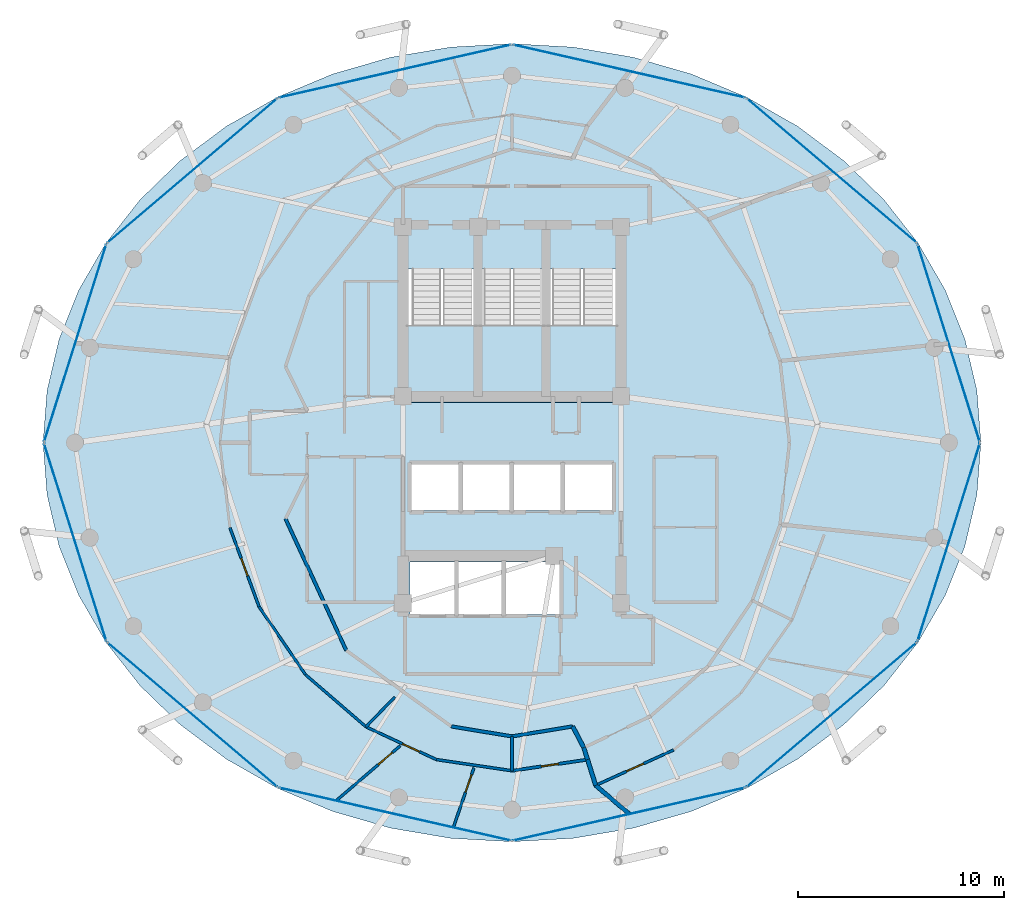
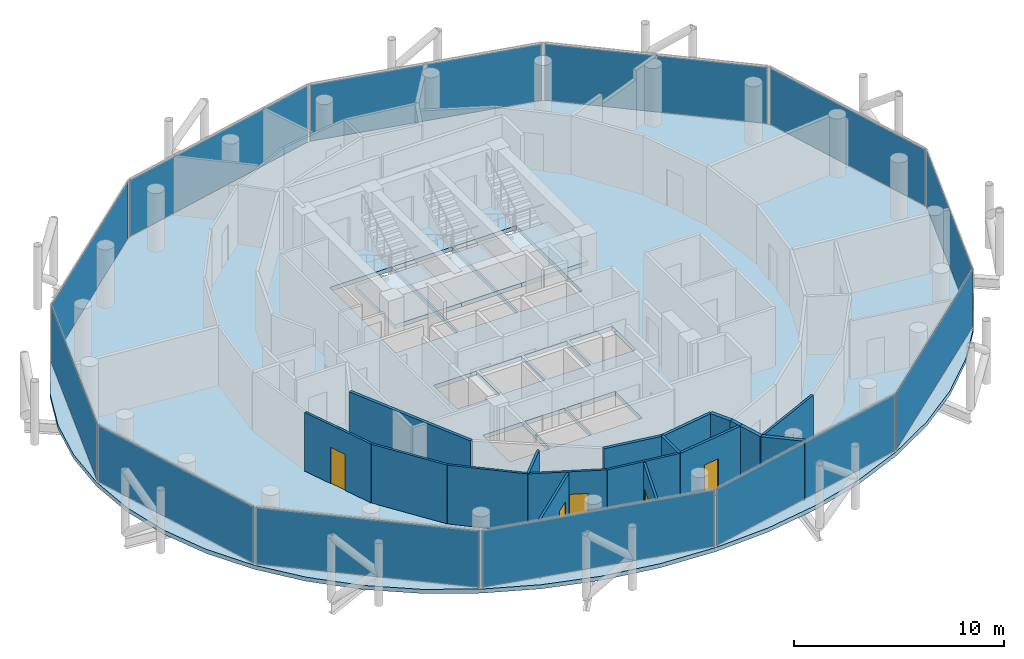
# One storey, part 22 of 27: 18 walls, 12 plates, 6 doors, 4 slabs, 6 openings, 15 elements without a shape of their own.
"""IFC4 building model written with IfcOpenShell, lengths in metres."""

from ifc_helpers import new_model, si_unit, direction, frame, frame_2d, origin, origin_2d, place, context, subcontext, project, spatial, polyline, rectangle, outline, extrude, material, layer, layer_set, type_object, element, fill, aggregate, save


model = new_model("IFC4")

# Units and contexts
model_context = context("Model", 3, precision=1e-05, world=origin(), true_north=direction((0.0, 1.0)))
body_context = subcontext(model_context, "Body", "Model", "MODEL_VIEW")
ifc_project = project(units=[si_unit("LENGTHUNIT", "METRE"), si_unit("AREAUNIT", "SQUARE_METRE"), si_unit("VOLUMEUNIT", "CUBIC_METRE"), si_unit("PLANEANGLEUNIT", "RADIAN"), si_unit("MASSUNIT", "GRAM", prefix="KILO")], contexts=[model_context])

# Site, building, storey
site_placement = place(None, origin())
site = spatial("IfcSite", under=ifc_project, at=site_placement, CompositionType="ELEMENT")
building_placement = place(site_placement, origin())
building = spatial("IfcBuilding", under=site, at=building_placement, Name="Nuhasar Tower", CompositionType="ELEMENT")
storey_placement = place(building_placement, frame((0.0, 0.0, 241.0)))
storey = spatial("IfcBuildingStorey", under=building, at=storey_placement, Name="L59", CompositionType="ELEMENT", Elevation=241.0)

# Curtain wall, plate
ifc_material_1 = material(Name="Aluminium 6063-T6", Category="aluminium")
ifc_layer_1 = layer(ifc_material_1, 0.18994140625)
ifc_layer_set_1 = layer_set([ifc_layer_1], Name="Aluminium 6063-T6")
curtain_wall_type = type_object("IfcCurtainWallType", Name="CW-Z3-RES", PredefinedType="NOTDEFINED", material=ifc_layer_set_1)
curtain_wall_1_placement = place(storey_placement, origin())
curtain_wall_1 = element("IfcCurtainWall", 1, at=curtain_wall_1_placement, inside=storey, type_object=curtain_wall_type, Name="L59 Unitised Curtain Wall 01", PredefinedType="NOTDEFINED")
ifc_material_2 = material(Name="Glass Double Low-E", Category="glass")
ifc_layer_2 = layer(ifc_material_2, 0.028076171875)
ifc_layer_set_2 = layer_set([ifc_layer_2], Name="Glass Double Low-E")
plate_type = type_object("IfcPlateType", Name="CW-PANEL-GLZ", PredefinedType="CURTAIN_PANEL", material=ifc_layer_set_2)
plate_1_placement = place(storey_placement, frame((60.235595703125, 31.639892578125, 0.06494140625), z_axis=(0.0, 0.0, 1.0), x_axis=(-0.30042864553, 0.95380429279, 0.0)))
plate_1 = element("IfcPlate", 2, at=plate_1_placement, type_object=plate_type, Name="CW-Z3 panel 1.1", PredefinedType="CURTAIN_PANEL", context=body_context, shape_type="SweptSolid", body=[
    extrude(rectangle(XDim=10.018798828125, YDim=0.028076171875, at=origin_2d()), origin(), (0.0, 0.0, 1.0), 3.280029296875),
])
aggregate(curtain_wall_1, [plate_1])

curtain_wall_2_placement = place(storey_placement, origin())
curtain_wall_2 = element("IfcCurtainWall", 3, at=curtain_wall_2_placement, inside=storey, type_object=curtain_wall_type, Name="L59 Unitised Curtain Wall 02", PredefinedType="NOTDEFINED")
plate_2_placement = place(storey_placement, frame((54.54541015625, 40.02294921875, 0.06494140625), z_axis=(0.0, 0.0, 1.0), x_axis=(-0.761729472562, 0.64789521578, 0.0)))
plate_2 = element("IfcPlate", 4, at=plate_2_placement, type_object=plate_type, Name="CW-Z3 panel 1.1", PredefinedType="CURTAIN_PANEL", context=body_context, shape_type="SweptSolid", body=[
    extrude(rectangle(XDim=10.806884765625, YDim=0.028076171875, at=origin_2d()), origin(), (0.0, 0.0, 1.0), 3.280029296875),
])
aggregate(curtain_wall_2, [plate_2])

curtain_wall_3_placement = place(storey_placement, origin())
curtain_wall_3 = element("IfcCurtainWall", 5, at=curtain_wall_3_placement, inside=storey, type_object=curtain_wall_type, Name="L59 Unitised Curtain Wall 03", PredefinedType="NOTDEFINED")
plate_3_placement = place(storey_placement, frame((44.68994140625, 44.863037109375, 0.06494140625), z_axis=(0.0, 0.0, 1.0), x_axis=(-0.974991266926, 0.222243176313, 0.0)))
plate_3 = element("IfcPlate", 6, at=plate_3_placement, type_object=plate_type, Name="CW-Z3 panel 1.1", PredefinedType="CURTAIN_PANEL", context=body_context, shape_type="SweptSolid", body=[
    extrude(rectangle(XDim=11.5419921875, YDim=0.028076171875, at=origin_2d()), origin(), (0.0, 0.0, 1.0), 3.280029296875),
])
aggregate(curtain_wall_3, [plate_3])

curtain_wall_4_placement = place(storey_placement, origin())
curtain_wall_4 = element("IfcCurtainWall", 7, at=curtain_wall_4_placement, inside=storey, type_object=curtain_wall_type, Name="L59 Unitised Curtain Wall 04", PredefinedType="NOTDEFINED")
plate_4_placement = place(storey_placement, frame((33.31005859375, 44.863037109375, 0.06494140625), z_axis=(0.0, 0.0, 1.0), x_axis=(-0.974991266926, -0.222243176313, 0.0)))
plate_4 = element("IfcPlate", 8, at=plate_4_placement, type_object=plate_type, Name="CW-Z3 panel 1.1", PredefinedType="CURTAIN_PANEL", context=body_context, shape_type="SweptSolid", body=[
    extrude(rectangle(XDim=11.5419921875, YDim=0.028076171875, at=origin_2d()), origin(), (0.0, 0.0, 1.0), 3.280029296875),
])
aggregate(curtain_wall_4, [plate_4])

curtain_wall_5_placement = place(storey_placement, origin())
curtain_wall_5 = element("IfcCurtainWall", 9, at=curtain_wall_5_placement, inside=storey, type_object=curtain_wall_type, Name="L59 Unitised Curtain Wall 05", PredefinedType="NOTDEFINED")
plate_5_placement = place(storey_placement, frame((23.45458984375, 40.02294921875, 0.06494140625), z_axis=(0.0, 0.0, 1.0), x_axis=(-0.761729472562, -0.64789521578, 0.0)))
plate_5 = element("IfcPlate", 10, at=plate_5_placement, type_object=plate_type, Name="CW-Z3 panel 1.1", PredefinedType="CURTAIN_PANEL", context=body_context, shape_type="SweptSolid", body=[
    extrude(rectangle(XDim=10.806884765625, YDim=0.028076171875, at=origin_2d()), origin(), (0.0, 0.0, 1.0), 3.280029296875),
])
aggregate(curtain_wall_5, [plate_5])

curtain_wall_6_placement = place(storey_placement, origin())
curtain_wall_6 = element("IfcCurtainWall", 11, at=curtain_wall_6_placement, inside=storey, type_object=curtain_wall_type, Name="L59 Unitised Curtain Wall 06", PredefinedType="NOTDEFINED")
plate_6_placement = place(storey_placement, frame((17.764404296875, 31.639892578125, 0.06494140625), z_axis=(0.0, 0.0, 1.0), x_axis=(-0.30042864553, -0.95380429279, 0.0)))
plate_6 = element("IfcPlate", 12, at=plate_6_placement, type_object=plate_type, Name="CW-Z3 panel 1.1", PredefinedType="CURTAIN_PANEL", context=body_context, shape_type="SweptSolid", body=[
    extrude(rectangle(XDim=10.018798828125, YDim=0.028076171875, at=origin_2d()), origin(), (0.0, 0.0, 1.0), 3.280029296875),
])
aggregate(curtain_wall_6, [plate_6])

curtain_wall_7_placement = place(storey_placement, origin())
curtain_wall_7 = element("IfcCurtainWall", 13, at=curtain_wall_7_placement, inside=storey, type_object=curtain_wall_type, Name="L59 Unitised Curtain Wall 07", PredefinedType="NOTDEFINED")
plate_7_placement = place(storey_placement, frame((17.764404296875, 21.9599609375, 0.06494140625), z_axis=(0.0, 0.0, 1.0), x_axis=(0.30042864553, -0.95380429279, 0.0)))
plate_7 = element("IfcPlate", 14, at=plate_7_placement, type_object=plate_type, Name="CW-Z3 panel 1.1", PredefinedType="CURTAIN_PANEL", context=body_context, shape_type="SweptSolid", body=[
    extrude(rectangle(XDim=10.018798828125, YDim=0.028076171875, at=origin_2d()), origin(), (0.0, 0.0, 1.0), 3.280029296875),
])
aggregate(curtain_wall_7, [plate_7])

curtain_wall_8_placement = place(storey_placement, origin())
curtain_wall_8 = element("IfcCurtainWall", 15, at=curtain_wall_8_placement, inside=storey, type_object=curtain_wall_type, Name="L59 Unitised Curtain Wall 08", PredefinedType="NOTDEFINED")
plate_8_placement = place(storey_placement, frame((23.45458984375, 13.576904296875, 0.06494140625), z_axis=(0.0, 0.0, 1.0), x_axis=(0.761729472562, -0.64789521578, 0.0)))
plate_8 = element("IfcPlate", 16, at=plate_8_placement, type_object=plate_type, Name="CW-Z3 panel 1.1", PredefinedType="CURTAIN_PANEL", context=body_context, shape_type="SweptSolid", body=[
    extrude(rectangle(XDim=10.806884765625, YDim=0.028076171875, at=origin_2d()), origin(), (0.0, 0.0, 1.0), 3.280029296875),
])
aggregate(curtain_wall_8, [plate_8])

curtain_wall_9_placement = place(storey_placement, origin())
curtain_wall_9 = element("IfcCurtainWall", 17, at=curtain_wall_9_placement, inside=storey, type_object=curtain_wall_type, Name="L59 Unitised Curtain Wall 09", PredefinedType="NOTDEFINED")
plate_9_placement = place(storey_placement, frame((33.31005859375, 8.737060546875, 0.06494140625), z_axis=(0.0, 0.0, 1.0), x_axis=(0.974991266926, -0.222243176313, 0.0)))
plate_9 = element("IfcPlate", 18, at=plate_9_placement, type_object=plate_type, Name="CW-Z3 panel 1.1", PredefinedType="CURTAIN_PANEL", context=body_context, shape_type="SweptSolid", body=[
    extrude(rectangle(XDim=11.5419921875, YDim=0.028076171875, at=origin_2d()), origin(), (0.0, 0.0, 1.0), 3.280029296875),
])
aggregate(curtain_wall_9, [plate_9])

curtain_wall_10_placement = place(storey_placement, origin())
curtain_wall_10 = element("IfcCurtainWall", 19, at=curtain_wall_10_placement, inside=storey, type_object=curtain_wall_type, Name="L59 Unitised Curtain Wall 10", PredefinedType="NOTDEFINED")
plate_10_placement = place(storey_placement, frame((44.68994140625, 8.737060546875, 0.06494140625), z_axis=(0.0, 0.0, 1.0), x_axis=(0.974991266926, 0.222243176313, 0.0)))
plate_10 = element("IfcPlate", 20, at=plate_10_placement, type_object=plate_type, Name="CW-Z3 panel 1.1", PredefinedType="CURTAIN_PANEL", context=body_context, shape_type="SweptSolid", body=[
    extrude(rectangle(XDim=11.5419921875, YDim=0.028076171875, at=origin_2d()), origin(), (0.0, 0.0, 1.0), 3.280029296875),
])
aggregate(curtain_wall_10, [plate_10])

curtain_wall_11_placement = place(storey_placement, origin())
curtain_wall_11 = element("IfcCurtainWall", 21, at=curtain_wall_11_placement, inside=storey, type_object=curtain_wall_type, Name="L59 Unitised Curtain Wall 11", PredefinedType="NOTDEFINED")
plate_11_placement = place(storey_placement, frame((54.54541015625, 13.576904296875, 0.06494140625), z_axis=(0.0, 0.0, 1.0), x_axis=(0.761729472562, 0.64789521578, 0.0)))
plate_11 = element("IfcPlate", 22, at=plate_11_placement, type_object=plate_type, Name="CW-Z3 panel 1.1", PredefinedType="CURTAIN_PANEL", context=body_context, shape_type="SweptSolid", body=[
    extrude(rectangle(XDim=10.806884765625, YDim=0.028076171875, at=origin_2d()), origin(), (0.0, 0.0, 1.0), 3.280029296875),
])
aggregate(curtain_wall_11, [plate_11])

curtain_wall_12_placement = place(storey_placement, origin())
curtain_wall_12 = element("IfcCurtainWall", 23, at=curtain_wall_12_placement, inside=storey, type_object=curtain_wall_type, Name="L59 Unitised Curtain Wall 12", PredefinedType="NOTDEFINED")
plate_12_placement = place(storey_placement, frame((60.235595703125, 21.9599609375, 0.06494140625), z_axis=(0.0, 0.0, 1.0), x_axis=(0.30042864553, 0.95380429279, 0.0)))
plate_12 = element("IfcPlate", 24, at=plate_12_placement, type_object=plate_type, Name="CW-Z3 panel 1.1", PredefinedType="CURTAIN_PANEL", context=body_context, shape_type="SweptSolid", body=[
    extrude(rectangle(XDim=10.018798828125, YDim=0.028076171875, at=origin_2d()), origin(), (0.0, 0.0, 1.0), 3.280029296875),
])
aggregate(curtain_wall_12, [plate_12])

# Stair, slab
ifc_material_3 = material(Name="Concrete C45/55", Category="concrete")
stair_type_1 = type_object("IfcStairType", Name="STR-ST-01-2F-22R-1659", PredefinedType="HALF_TURN_STAIR", material=ifc_material_3)
stair_1_placement = place(storey_placement, origin())
stair_1 = element("IfcStair", 25, at=stair_1_placement, inside=storey, type_object=stair_type_1, Name="L59 Exit Stair ST-01", PredefinedType="HALF_TURN_STAIR")
ifc_layer_3 = layer(ifc_material_3, 0.239990234375)
ifc_layer_set_3 = layer_set([ifc_layer_3], Name="Concrete C45/55")
slab_type_1 = type_object("IfcSlabType", Name="SLB-STAIR-LND-240", PredefinedType="LANDING", material=ifc_layer_set_3)
slab_1_placement = place(storey_placement, frame((0.0, 0.0, 1.5849609375)))
slab_1 = element("IfcSlab", 26, at=slab_1_placement, type_object=slab_type_1, Name="ST-01 landing 1", PredefinedType="LANDING", context=body_context, shape_type="SweptSolid", body=[
    extrude(outline(polyline([(33.699951171875, 28.75), (37.35009765625, 28.75), (37.35009765625, 32.52001953125), (33.699951171875, 32.52001953125), (33.699951171875, 28.75)])), origin(), (0.0, 0.0, 1.0), 0.239990234375),
])
aggregate(stair_1, [slab_1])

stair_type_2 = type_object("IfcStairType", Name="STR-ST-03-2F-22R-1659", PredefinedType="HALF_TURN_STAIR", material=ifc_material_3)
stair_2_placement = place(storey_placement, origin())
stair_2 = element("IfcStair", 27, at=stair_2_placement, inside=storey, type_object=stair_type_2, Name="L59 Exit Stair ST-03", PredefinedType="HALF_TURN_STAIR")
slab_2_placement = place(storey_placement, frame((0.0, 0.0, 1.5849609375)))
slab_2 = element("IfcSlab", 28, at=slab_2_placement, type_object=slab_type_1, Name="ST-03 landing 1", PredefinedType="LANDING", context=body_context, shape_type="SweptSolid", body=[
    extrude(outline(polyline([(37.35009765625, 28.75), (40.64990234375, 28.75), (40.64990234375, 32.52001953125), (37.35009765625, 32.52001953125), (37.35009765625, 28.75)])), origin(), (0.0, 0.0, 1.0), 0.239990234375),
])
aggregate(stair_2, [slab_2])

stair_type_3 = type_object("IfcStairType", Name="STR-ST-02-2F-22R-1659", PredefinedType="HALF_TURN_STAIR", material=ifc_material_3)
stair_3_placement = place(storey_placement, origin())
stair_3 = element("IfcStair", 29, at=stair_3_placement, inside=storey, type_object=stair_type_3, Name="L59 Exit Stair ST-02", PredefinedType="HALF_TURN_STAIR")
slab_3_placement = place(storey_placement, frame((0.0, 0.0, 1.5849609375)))
slab_3 = element("IfcSlab", 30, at=slab_3_placement, type_object=slab_type_1, Name="ST-02 landing 1", PredefinedType="LANDING", context=body_context, shape_type="SweptSolid", body=[
    extrude(outline(polyline([(40.64990234375, 28.75), (44.300048828125, 28.75), (44.300048828125, 32.52001953125), (40.64990234375, 32.52001953125), (40.64990234375, 28.75)])), origin(), (0.0, 0.0, 1.0), 0.239990234375),
])
aggregate(stair_3, [slab_3])

# Slab
ifc_layer_4 = layer(ifc_material_3, 0.239990234375)
ifc_layer_set_4 = layer_set([ifc_layer_4], Name="Concrete C45/55")
slab_type_2 = type_object("IfcSlabType", Name="SLB-Z3-240", PredefinedType="FLOOR", material=ifc_layer_set_4)
slab_4_placement = place(storey_placement, frame((0.0, 0.0, -0.239990234375)))
element("IfcSlab", 31, at=slab_4_placement, inside=storey, type_object=slab_type_2, Name="L59 Structural Slab", PredefinedType="FLOOR", context=body_context, shape_type="SweptSolid", body=[
    extrude(outline(polyline([(61.800048828125, 26.800048828125), (61.60498046875, 29.33203125), (61.02294921875, 31.821044921875), (60.06396484375, 34.22412109375), (58.7451171875, 36.5), (57.087890625, 38.610107421875), (55.1220703125, 40.51806640625), (52.8798828125, 42.19091796875), (50.39990234375, 43.60107421875), (47.72509765625, 44.722900390625), (44.90087890625, 45.5390625), (41.97607421875, 46.033935546875), (39.0, 46.199951171875), (36.02392578125, 46.033935546875), (33.09912109375, 45.5390625), (30.27490234375, 44.722900390625), (27.60009765625, 43.60107421875), (25.1201171875, 42.19091796875), (22.8779296875, 40.51806640625), (20.912109375, 38.610107421875), (19.2548828125, 36.5), (17.93603515625, 34.22412109375), (16.97705078125, 31.821044921875), (16.39501953125, 29.33203125), (16.199951171875, 26.800048828125), (16.39501953125, 24.26806640625), (16.97705078125, 21.779052734375), (17.93603515625, 19.3759765625), (19.2548828125, 17.10009765625), (20.912109375, 14.989990234375), (22.8779296875, 13.08203125), (25.1201171875, 11.408935546875), (27.60009765625, 9.9990234375), (30.27490234375, 8.876953125), (33.09912109375, 8.06103515625), (36.02392578125, 7.56591796875), (39.0, 7.39990234375), (41.97607421875, 7.56591796875), (44.90087890625, 8.06103515625), (47.72509765625, 8.876953125), (50.39990234375, 9.9990234375), (52.8798828125, 11.408935546875), (55.1220703125, 13.08203125), (57.087890625, 14.989990234375), (58.7451171875, 17.10009765625), (60.06396484375, 19.3759765625), (61.02294921875, 21.779052734375), (61.60498046875, 24.26806640625), (61.800048828125, 26.800048828125)]), holes=[polyline([(33.8798828125, 35.25), (37.300048828125, 35.25), (37.300048828125, 29.0), (33.8798828125, 29.0), (33.8798828125, 35.25)]), polyline([(37.39990234375, 35.25), (40.60009765625, 35.25), (40.60009765625, 29.0), (37.39990234375, 29.0), (37.39990234375, 35.25)]), polyline([(40.699951171875, 35.25), (44.1201171875, 35.25), (44.1201171875, 29.0), (40.699951171875, 29.0), (40.699951171875, 35.25)]), polyline([(34.10009765625, 25.75), (36.43994140625, 25.75), (36.43994140625, 23.5), (34.10009765625, 23.5), (34.10009765625, 25.75)]), polyline([(36.580078125, 25.75), (38.919921875, 25.75), (38.919921875, 23.5), (36.580078125, 23.5), (36.580078125, 25.75)]), polyline([(39.06005859375, 25.75), (41.39990234375, 25.75), (41.39990234375, 23.5), (39.06005859375, 23.5), (39.06005859375, 25.75)]), polyline([(41.5400390625, 25.75), (43.8798828125, 25.75), (43.8798828125, 23.5), (41.5400390625, 23.5), (41.5400390625, 25.75)]), polyline([(34.050048828125, 21.0), (36.25, 21.0), (36.25, 18.449951171875), (34.050048828125, 18.449951171875), (34.050048828125, 21.0)]), polyline([(36.35009765625, 21.0), (38.550048828125, 21.0), (38.550048828125, 18.449951171875), (36.35009765625, 18.449951171875), (36.35009765625, 21.0)]), polyline([(38.64990234375, 21.0), (41.320068359375, 21.0), (41.320068359375, 18.449951171875), (38.64990234375, 18.449951171875), (38.64990234375, 21.0)])]), origin(), (0.0, 0.0, 1.0), 0.239990234375),
])

# Walls
ifc_material_4 = material(Name="Gypsum Board", Category="gypsum")
ifc_layer_5 = layer(ifc_material_4, 0.159912109375)
ifc_layer_set_5 = layer_set([ifc_layer_5], Name="Gypsum Board")
wall_type_1 = type_object("IfcWallType", Name="WL-CORR-160", PredefinedType="PARTITIONING", material=ifc_layer_set_5)
wall_1_placement = place(storey_placement, frame((27.988037109375, 23.10400390625, 0.0), z_axis=(0.0, 0.0, 1.0), x_axis=(0.418656179426, -0.908144814128, 0.0)))
element("IfcWall", 32, at=wall_1_placement, inside=storey, type_object=wall_type_1, Name="L59 Interior Partition UWEST-CORE-S1-26", PredefinedType="PARTITIONING", context=body_context, shape_type="SweptSolid", body=[
    extrude(rectangle(XDim=7.048583984375, YDim=0.159912109375, at=frame_2d((3.5244140625, 0.0))), origin(), (0.0, 0.0, 1.0), 3.409912109375),
])
for number, where, z_axis, x_axis, name in (
    (33, (36.049072265625, 13.007080078125, 0.0), (0.0, 0.0, 1.0), (0.986650832406, -0.162850038111, 0.0), "L59 Interior Partition UWEST-CORE-S1-34"),
    (34, (39.0, 12.52001953125, 0.0), (0.0, 0.0, 1.0), (0.986650832406, 0.162850038111, 0.0), "L59 Interior Partition UWEST-CORE-S2-36"),
):
    element("IfcWall", number, at=place(storey_placement, frame(where, z_axis=z_axis, x_axis=x_axis)), inside=storey, type_object=wall_type_1, Name=name, PredefinedType="PARTITIONING", context=body_context, shape_type="SweptSolid", body=[
        extrude(rectangle(XDim=2.990966796875, YDim=0.159912109375, at=frame_2d((1.49560546875, 0.0))), origin(), (0.0, 0.0, 1.0), 3.409912109375),
    ])

# Wall, opening, door
ifc_layer_6 = layer(ifc_material_4, 0.125)
ifc_layer_set_6 = layer_set([ifc_layer_6], Name="Gypsum Board")
wall_type_2 = type_object("IfcWallType", Name="WL-PART-125", PredefinedType="PARTITIONING", material=ifc_layer_set_6)
wall_2_placement = place(storey_placement, frame((46.860107421875, 11.861083984375, 0.0), z_axis=(0.0, 0.0, 1.0), x_axis=(-0.910370493014, -0.413794109975, 0.0)))
wall_2 = element("IfcWall", 35, at=wall_2_placement, inside=storey, type_object=wall_type_2, Name="L59 Interior Partition UMID-01-A-38", PredefinedType="PARTITIONING", context=body_context, shape_type="SweptSolid", body=[
    extrude(rectangle(XDim=4.164306640625, YDim=0.125, at=frame_2d((2.08203125, 0.0))), origin(), (0.0, 0.0, 1.0), 3.409912109375),
])
opening_1_placement = place(wall_2_placement, frame((1.60693359375, 0.0, 0.0)))
opening_1 = element("IfcOpeningElement", 36, at=opening_1_placement, cuts=wall_2, Name="Opening DR-01", PredefinedType="OPENING", context=body_context, shape_type="SweptSolid", body=[
    extrude(rectangle(XDim=0.89990234375, YDim=2.10009765625, at=frame_2d((0.449951171875, 1.050048828125))), frame((0.0, 0.072509765625, 0.0), z_axis=(0.0, -1.0, 0.0), x_axis=(1.0, 0.0, 0.0)), (0.0, 0.0, 1.0), 0.14501953125),
])
ifc_material_5 = material(Name="Timber Oak", Category="wood")
door_type_1 = type_object("IfcDoorType", Name="DR-ROOM-900", OperationType="NOTDEFINED", PredefinedType="DOOR", material=ifc_material_5)
door_1_placement = place(opening_1_placement, origin())
door_1 = element("IfcDoor", 37, at=door_1_placement, inside=storey, type_object=door_type_1, Name="L59 U01 Living Door", OperationType="SINGLE_SWING_LEFT", OverallHeight=2.10009765625, OverallWidth=0.89990234375, PredefinedType="DOOR", context=body_context, shape_type="SweptSolid", body=[
    extrude(rectangle(XDim=0.89990234375, YDim=2.10009765625, at=frame_2d((0.449951171875, 1.050048828125))), frame((0.0, 0.02490234375, 0.0), z_axis=(0.0, -1.0, 0.0), x_axis=(1.0, 0.0, 0.0)), (0.0, 0.0, 1.0), 0.050048828125),
])
fill(opening_1, door_1)

wall_3_placement = place(storey_placement, frame((35.324951171875, 11.39306640625, 0.0), z_axis=(0.0, 0.0, 1.0), x_axis=(-0.906625113427, 0.421937085007, 0.0)))
wall_3 = element("IfcWall", 38, at=wall_3_placement, inside=storey, type_object=wall_type_2, Name="L59 Interior Partition USM-2-K-32", PredefinedType="PARTITIONING", context=body_context, shape_type="SweptSolid", body=[
    extrude(rectangle(XDim=3.77783203125, YDim=0.125, at=frame_2d((1.888916015625, 0.0))), origin(), (0.0, 0.0, 1.0), 3.409912109375),
])
opening_2_placement = place(wall_3_placement, frame((0.907958984375, 0.0, 0.0)))
opening_2 = element("IfcOpeningElement", 39, at=opening_2_placement, cuts=wall_3, Name="Opening DR-01", PredefinedType="OPENING", context=body_context, shape_type="SweptSolid", body=[
    extrude(rectangle(XDim=0.89990234375, YDim=2.10009765625, at=frame_2d((0.449951171875, 1.050048828125))), frame((0.0, 0.072509765625, 0.0), z_axis=(0.0, -1.0, 0.0), x_axis=(1.0, 0.0, 0.0)), (0.0, 0.0, 1.0), 0.14501953125),
])
door_2_placement = place(opening_2_placement, origin())
door_2 = element("IfcDoor", 40, at=door_2_placement, inside=storey, type_object=door_type_1, Name="L59 South-West Sky Home Kitchen Door", OperationType="SINGLE_SWING_LEFT", OverallHeight=2.10009765625, OverallWidth=0.89990234375, PredefinedType="DOOR", context=body_context, shape_type="SweptSolid", body=[
    extrude(rectangle(XDim=0.89990234375, YDim=2.10009765625, at=frame_2d((0.449951171875, 1.050048828125))), frame((0.0, 0.02490234375, 0.0), z_axis=(0.0, -1.0, 0.0), x_axis=(1.0, 0.0, 0.0)), (0.0, 0.0, 1.0), 0.050048828125),
])
fill(opening_2, door_2)

# Walls
wall_4_placement = place(storey_placement, frame((35.324951171875, 11.39306640625, 0.0), z_axis=(0.0, 0.0, 1.0), x_axis=(0.989261252839, -0.146158043334, 0.0)))
element("IfcWall", 41, at=wall_4_placement, inside=storey, type_object=wall_type_2, Name="L59 Interior Partition USM-2-K-34", PredefinedType="PARTITIONING", context=body_context, shape_type="SweptSolid", body=[
    extrude(rectangle(XDim=3.71484375, YDim=0.125, at=frame_2d((1.857421875, 0.0))), origin(), (0.0, 0.0, 1.0), 3.409912109375),
])
wall_5_placement = place(storey_placement, frame((33.300048828125, 14.43310546875, 0.0), z_axis=(0.0, 0.0, 1.0), x_axis=(-0.695613346208, -0.718416364358, 0.0)))
element("IfcWall", 42, at=wall_5_placement, inside=storey, type_object=wall_type_2, Name="L59 Interior Partition USI-2-DK", PredefinedType="PARTITIONING", context=body_context, shape_type="SweptSolid", body=[
    extrude(rectangle(XDim=2.012939453125, YDim=0.125, at=frame_2d((1.00634765625, 0.0))), origin(), (0.0, 0.0, 1.0), 3.409912109375),
])

# Wall, opening, door
wall_6_placement = place(storey_placement, frame((26.701904296875, 18.824951171875, 0.0), z_axis=(0.0, 0.0, 1.0), x_axis=(-0.345832286314, 0.938296344308, 0.0)))
wall_6 = element("IfcWall", 43, at=wall_6_placement, inside=storey, type_object=wall_type_2, Name="L59 Interior Partition USM-2-D-26", PredefinedType="PARTITIONING", context=body_context, shape_type="SweptSolid", body=[
    extrude(rectangle(XDim=4.10009765625, YDim=0.125, at=frame_2d((2.050048828125, 0.0))), origin(), (0.0, 0.0, 1.0), 3.409912109375),
])
opening_3_placement = place(wall_6_placement, frame((1.60009765625, 0.0, 0.0)))
opening_3 = element("IfcOpeningElement", 44, at=opening_3_placement, cuts=wall_6, Name="Opening DR-01", PredefinedType="OPENING", context=body_context, shape_type="SweptSolid", body=[
    extrude(rectangle(XDim=0.89990234375, YDim=2.10009765625, at=frame_2d((0.449951171875, 1.050048828125))), frame((0.0, 0.072509765625, 0.0), z_axis=(0.0, -1.0, 0.0), x_axis=(1.0, 0.0, 0.0)), (0.0, 0.0, 1.0), 0.14501953125),
])
door_3_placement = place(opening_3_placement, origin())
door_3 = element("IfcDoor", 45, at=door_3_placement, inside=storey, type_object=door_type_1, Name="L59 South-West Sky Home Living Door", OperationType="SINGLE_SWING_LEFT", OverallHeight=2.10009765625, OverallWidth=0.89990234375, PredefinedType="DOOR", context=body_context, shape_type="SweptSolid", body=[
    extrude(rectangle(XDim=0.89990234375, YDim=2.10009765625, at=frame_2d((0.449951171875, 1.050048828125))), frame((0.0, 0.02490234375, 0.0), z_axis=(0.0, -1.0, 0.0), x_axis=(1.0, 0.0, 0.0)), (0.0, 0.0, 1.0), 0.050048828125),
])
fill(opening_3, door_3)

# Walls
wall_7_placement = place(storey_placement, frame((26.701904296875, 18.824951171875, 0.0), z_axis=(0.0, 0.0, 1.0), x_axis=(0.56419813198, -0.825639429697, 0.0)))
element("IfcWall", 46, at=wall_7_placement, inside=storey, type_object=wall_type_2, Name="L59 Interior Partition USM-2-D-28", PredefinedType="PARTITIONING", context=body_context, shape_type="SweptSolid", body=[
    extrude(rectangle(XDim=4.00048828125, YDim=0.125, at=frame_2d((2.000244140625, 0.0))), origin(), (0.0, 0.0, 1.0), 3.409912109375),
])
wall_8_placement = place(storey_placement, frame((28.958984375, 15.52197265625, 0.0), z_axis=(0.0, 0.0, 1.0), x_axis=(0.757456069071, -0.652886133585, 0.0)))
element("IfcWall", 47, at=wall_8_placement, inside=storey, type_object=wall_type_2, Name="L59 Interior Partition USM-2-D-30", PredefinedType="PARTITIONING", context=body_context, shape_type="SweptSolid", body=[
    extrude(rectangle(XDim=3.882568359375, YDim=0.125, at=frame_2d((1.94140625, 0.0))), origin(), (0.0, 0.0, 1.0), 3.409912109375),
])

# Wall, opening, door
wall_9_placement = place(storey_placement, frame((33.56591796875, 12.06396484375, 0.0), z_axis=(0.0, 0.0, 1.0), x_axis=(-0.759231178262, -0.650821033738, 0.0)))
wall_9 = element("IfcWall", 48, at=wall_9_placement, inside=storey, type_object=wall_type_2, Name="L59 Interior Partition USO-2-B1", PredefinedType="PARTITIONING", context=body_context, shape_type="SweptSolid", body=[
    extrude(rectangle(XDim=4.067138671875, YDim=0.125, at=frame_2d((2.03369140625, 0.0))), origin(), (0.0, 0.0, 1.0), 3.409912109375),
])
opening_4_placement = place(wall_9_placement, frame((0.501953125, 0.0, 0.0)))
opening_4 = element("IfcOpeningElement", 49, at=opening_4_placement, cuts=wall_9, Name="Opening DR-01", PredefinedType="OPENING", context=body_context, shape_type="SweptSolid", body=[
    extrude(rectangle(XDim=0.89990234375, YDim=2.10009765625, at=frame_2d((0.449951171875, 1.050048828125))), frame((0.0, 0.072509765625, 0.0), z_axis=(0.0, -1.0, 0.0), x_axis=(1.0, 0.0, 0.0)), (0.0, 0.0, 1.0), 0.14501953125),
])
door_4_placement = place(opening_4_placement, origin())
door_4 = element("IfcDoor", 50, at=door_4_placement, inside=storey, type_object=door_type_1, Name="L59 South-West Sky Home Study Door", OperationType="SINGLE_SWING_LEFT", OverallHeight=2.10009765625, OverallWidth=0.89990234375, PredefinedType="DOOR", context=body_context, shape_type="SweptSolid", body=[
    extrude(rectangle(XDim=0.89990234375, YDim=2.10009765625, at=frame_2d((0.449951171875, 1.050048828125))), frame((0.0, 0.02490234375, 0.0), z_axis=(0.0, -1.0, 0.0), x_axis=(1.0, 0.0, 0.0)), (0.0, 0.0, 1.0), 0.050048828125),
])
fill(opening_4, door_4)

wall_10_placement = place(storey_placement, frame((37.14697265625, 10.986083984375, 0.0), z_axis=(0.0, 0.0, 1.0), x_axis=(-0.326122303086, -0.945327585248, 0.0)))
wall_10 = element("IfcWall", 51, at=wall_10_placement, inside=storey, type_object=wall_type_2, Name="L59 Interior Partition USO-2-B2", PredefinedType="PARTITIONING", context=body_context, shape_type="SweptSolid", body=[
    extrude(rectangle(XDim=3.029541015625, YDim=0.125, at=frame_2d((1.5146484375, 0.0))), origin(), (0.0, 0.0, 1.0), 3.409912109375),
])
opening_5_placement = place(wall_10_placement, frame((0.35009765625, 0.0, 0.0)))
opening_5 = element("IfcOpeningElement", 52, at=opening_5_placement, cuts=wall_10, Name="Opening DR-01", PredefinedType="OPENING", context=body_context, shape_type="SweptSolid", body=[
    extrude(rectangle(XDim=0.89990234375, YDim=2.10009765625, at=frame_2d((0.449951171875, 1.050048828125))), frame((0.0, 0.072509765625, 0.0), z_axis=(0.0, -1.0, 0.0), x_axis=(1.0, 0.0, 0.0)), (0.0, 0.0, 1.0), 0.14501953125),
])
door_5_placement = place(opening_5_placement, origin())
door_5 = element("IfcDoor", 53, at=door_5_placement, inside=storey, type_object=door_type_1, Name="L59 South-West Sky Home Master Bedroom Door", OperationType="SINGLE_SWING_LEFT", OverallHeight=2.10009765625, OverallWidth=0.89990234375, PredefinedType="DOOR", context=body_context, shape_type="SweptSolid", body=[
    extrude(rectangle(XDim=0.89990234375, YDim=2.10009765625, at=frame_2d((0.449951171875, 1.050048828125))), frame((0.0, 0.02490234375, 0.0), z_axis=(0.0, -1.0, 0.0), x_axis=(1.0, 0.0, 0.0)), (0.0, 0.0, 1.0), 0.050048828125),
])
fill(opening_5, door_5)

# Walls
ifc_material_6 = material(Name="Concrete C40/50 precast", Category="concrete")
ifc_layer_7 = layer(ifc_material_6, 0.199951171875)
ifc_layer_set_7 = layer_set([ifc_layer_7], Name="Concrete C40/50 precast")
wall_type_3 = type_object("IfcWallType", Name="WL-UNIT-200", PredefinedType="PARTITIONING", material=ifc_layer_set_7)
wall_11_placement = place(storey_placement, frame((41.950927734375, 13.007080078125, 0.0), z_axis=(0.0, 0.0, 1.0), x_axis=(0.462880643217, -0.886420616939, 0.0)))
element("IfcWall", 54, at=wall_11_placement, inside=storey, type_object=wall_type_3, Name="L59 Interior Partition URAD-38-SW-S1", PredefinedType="PARTITIONING", context=body_context, shape_type="SweptSolid", body=[
    extrude(rectangle(XDim=1.166748046875, YDim=0.199951171875, at=frame_2d((0.58349609375, 0.0))), origin(), (0.0, 0.0, 1.0), 3.409912109375),
])
wall_12_placement = place(storey_placement, frame((42.490966796875, 11.972900390625, 0.0), z_axis=(0.0, 0.0, 1.0), x_axis=(0.302590706118, -0.953120592879, 0.0)))
element("IfcWall", 55, at=wall_12_placement, inside=storey, type_object=wall_type_3, Name="L59 Interior Partition URAD-38-SW-S2", PredefinedType="PARTITIONING", context=body_context, shape_type="SweptSolid", body=[
    extrude(rectangle(XDim=0.6083984375, YDim=0.199951171875, at=frame_2d((0.30419921875, 0.0))), origin(), (0.0, 0.0, 1.0), 3.409912109375),
])
wall_13_placement = place(storey_placement, frame((42.675048828125, 11.39306640625, 0.0), z_axis=(0.0, 0.0, 1.0), x_axis=(0.299532212957, -0.954086187617, 0.0)))
element("IfcWall", 56, at=wall_13_placement, inside=storey, type_object=wall_type_3, Name="L59 Interior Partition URAD-38-SW-S3", PredefinedType="PARTITIONING", context=body_context, shape_type="SweptSolid", body=[
    extrude(rectangle(XDim=1.3154296875, YDim=0.199951171875, at=frame_2d((0.65771484375, 0.0))), origin(), (0.0, 0.0, 1.0), 3.409912109375),
])
wall_14_placement = place(storey_placement, frame((43.069091796875, 10.137939453125, 0.0), z_axis=(0.0, 0.0, 1.0), x_axis=(0.762434894115, -0.647064936645, 0.0)))
element("IfcWall", 57, at=wall_14_placement, inside=storey, type_object=wall_type_3, Name="L59 Interior Partition URAD-38-SW-S4", PredefinedType="PARTITIONING", context=body_context, shape_type="SweptSolid", body=[
    extrude(rectangle(XDim=2.114013671875, YDim=0.199951171875, at=frame_2d((1.05712890625, 0.0))), origin(), (0.0, 0.0, 1.0), 3.409912109375),
])

# Wall, opening, door
ifc_layer_8 = layer(ifc_material_6, 0.139892578125)
ifc_layer_set_8 = layer_set([ifc_layer_8], Name="Concrete C40/50 precast")
wall_type_4 = type_object("IfcWallType", Name="WL-WET-140", PredefinedType="PARTITIONING", material=ifc_layer_set_8)
wall_15_placement = place(storey_placement, frame((42.675048828125, 11.39306640625, 0.0), z_axis=(0.0, 0.0, 1.0), x_axis=(-0.989261252839, -0.146158043334, 0.0)))
wall_15 = element("IfcWall", 58, at=wall_15_placement, inside=storey, type_object=wall_type_4, Name="L59 Interior Partition USM-2-B-36", PredefinedType="PARTITIONING", context=body_context, shape_type="SweptSolid", body=[
    extrude(rectangle(XDim=3.71484375, YDim=0.139892578125, at=frame_2d((1.857421875, 0.0))), origin(), (0.0, 0.0, 1.0), 3.409912109375),
])
opening_6_placement = place(wall_15_placement, frame((1.431884765625, 0.0, 0.0)))
opening_6 = element("IfcOpeningElement", 59, at=opening_6_placement, cuts=wall_15, Name="Opening DB-01", PredefinedType="OPENING", context=body_context, shape_type="SweptSolid", body=[
    extrude(rectangle(XDim=0.85009765625, YDim=2.10009765625, at=frame_2d((0.425048828125, 1.050048828125))), frame((0.0, 0.080078125, 0.0), z_axis=(0.0, -1.0, 0.0), x_axis=(1.0, 0.0, 0.0)), (0.0, 0.0, 1.0), 0.159912109375),
])
door_type_2 = type_object("IfcDoorType", Name="DR-BATH-850", OperationType="NOTDEFINED", PredefinedType="DOOR", material=ifc_material_5)
door_6_placement = place(opening_6_placement, origin())
door_6 = element("IfcDoor", 60, at=door_6_placement, inside=storey, type_object=door_type_2, Name="L59 South-West Sky Home En-Suite Door", OperationType="SINGLE_SWING_LEFT", OverallHeight=2.10009765625, OverallWidth=0.85009765625, PredefinedType="DOOR", context=body_context, shape_type="SweptSolid", body=[
    extrude(rectangle(XDim=0.85009765625, YDim=2.10009765625, at=frame_2d((0.425048828125, 1.050048828125))), frame((0.0, 0.02490234375, 0.0), z_axis=(0.0, -1.0, 0.0), x_axis=(1.0, 0.0, 0.0)), (0.0, 0.0, 1.0), 0.050048828125),
])
fill(opening_6, door_6)

# Wall
wall_16_placement = place(storey_placement, frame((39.0, 12.52001953125, 0.0), z_axis=(0.0, 0.0, 1.0), x_axis=(0.0, -1.0, 0.0)))
element("IfcWall", 61, at=wall_16_placement, inside=storey, type_object=wall_type_4, Name="L59 Interior Partition USI-2-KB", PredefinedType="PARTITIONING", context=body_context, shape_type="SweptSolid", body=[
    extrude(rectangle(XDim=1.669921875, YDim=0.139892578125, at=frame_2d((0.8349609375, 0.0))), origin(), (0.0, 0.0, 1.0), 3.409912109375),
])

save(model, "model.ifc")
